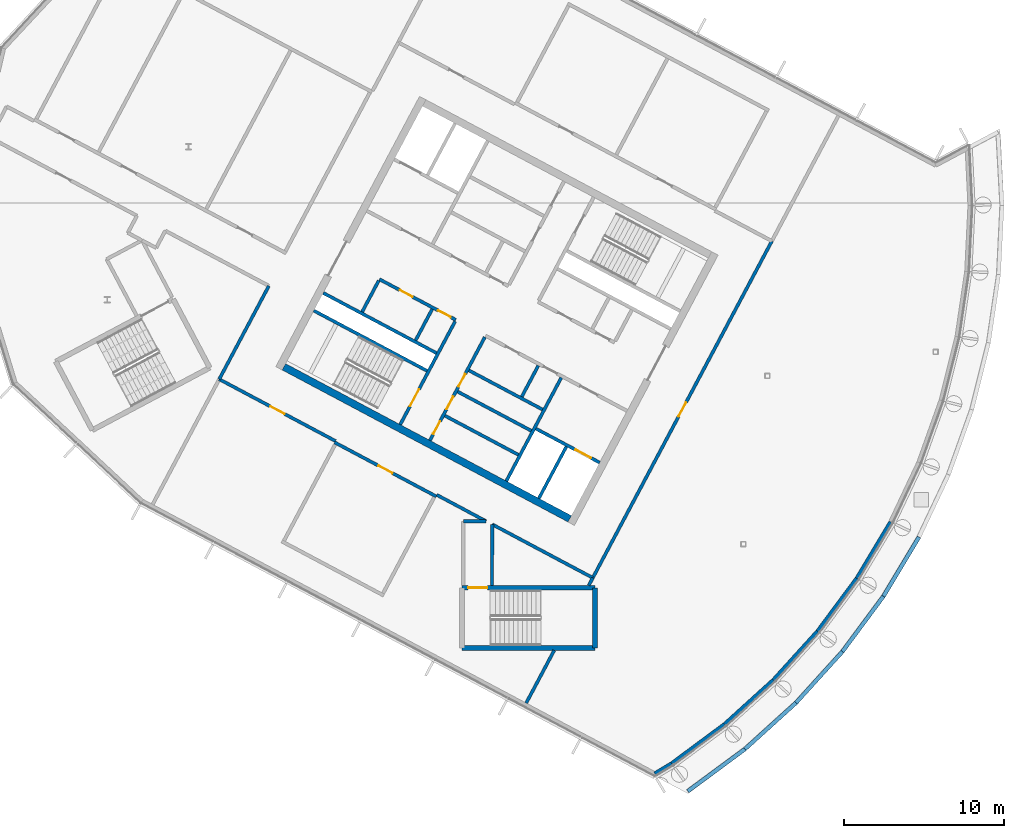
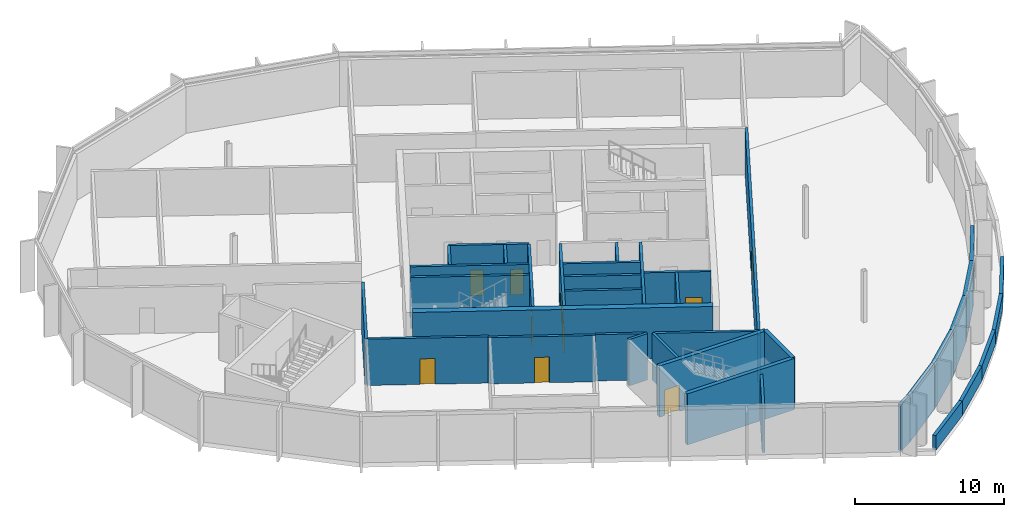
# One storey, part 6 of 15: 39 walls, 11 doors, 11 openings.
"""IFC4 building model written with IfcOpenShell, lengths in metres."""

from ifc_helpers import new_model, si_unit, direction, frame, frame_2d, origin, place, context, subcontext, project, spatial, rectangle, extrude, material, layer, layer_set, type_object, element, fill, save


model = new_model("IFC4")

# Units and contexts
model_context = context("Model", 3, precision=1e-05, world=origin(), true_north=direction((0.0, 1.0)))
body_context = subcontext(model_context, "Body", "Model", "MODEL_VIEW")
ifc_project = project(units=[si_unit("LENGTHUNIT", "METRE"), si_unit("AREAUNIT", "SQUARE_METRE"), si_unit("VOLUMEUNIT", "CUBIC_METRE"), si_unit("PLANEANGLEUNIT", "RADIAN"), si_unit("MASSUNIT", "GRAM", prefix="KILO")], contexts=[model_context])

# Site, building, storey
site_placement = place(None, origin())
site = spatial("IfcSite", under=ifc_project, at=site_placement, CompositionType="ELEMENT")
building_placement = place(site_placement, origin())
building = spatial("IfcBuilding", under=site, at=building_placement, Name="Cormorant Relay Tower", CompositionType="ELEMENT")
storey_placement = place(building_placement, frame((0.0, 0.0, 336.60009765625)))
storey = spatial("IfcBuildingStorey", under=building, at=storey_placement, Name="C3", CompositionType="ELEMENT", Elevation=336.60009765625)

# Walls
ifc_material_1 = material(Name="Concrete 40 MPa", Category="concrete")
ifc_layer_1 = layer(ifc_material_1, 0.199951171875)
ifc_layer_set_1 = layer_set([ifc_layer_1], Name="Core internal wall 200")
wall_type_1 = type_object("IfcWallType", Name="Core internal wall 200", PredefinedType="SOLIDWALL", material=ifc_layer_set_1)
wall_1_placement = place(storey_placement, frame((-24.79052734375, 11.142822265625, 0.0), z_axis=(0.0, 0.0, 1.0), x_axis=(-0.469487830541, -0.882938942948, 0.0)))
element("IfcWall", 1, at=wall_1_placement, inside=storey, type_object=wall_type_1, Name="C3 core A shaft and room wall", PredefinedType="SOLIDWALL", context=body_context, shape_type="SweptSolid", body=[
    extrude(rectangle(XDim=2.2001953125, YDim=0.199951171875, at=frame_2d((1.10009765625, 0.0))), origin(), (0.0, 0.0, 1.0), 4.199951171875),
])
wall_2_placement = place(storey_placement, frame((-31.41259765625, 14.663818359375, 0.0), z_axis=(0.0, 0.0, 1.0), x_axis=(-0.469533832133, -0.882914480843, 0.0)))
element("IfcWall", 2, at=wall_2_placement, inside=storey, type_object=wall_type_1, Name="C3 core A shaft and room wall", PredefinedType="SOLIDWALL", context=body_context, shape_type="SweptSolid", body=[
    extrude(rectangle(XDim=2.199951171875, YDim=0.199951171875, at=frame_2d((1.10009765625, 0.0))), origin(), (0.0, 0.0, 1.0), 4.199951171875),
])
for number, where, z_axis, x_axis, name in (
    (3, (-25.232421875, 7.073974609375, 0.0), (0.0, 0.0, 1.0), (-0.882953967957, 0.469459572775, 0.0), "C3 core A shaft and room wall"),
    (4, (-26.030517578125, 5.572998046875, 0.0), (0.0, 0.0, 1.0), (-0.882953967957, 0.469459572775, 0.0), "C3 core A shaft and room wall"),
):
    element("IfcWall", number, at=place(storey_placement, frame(where, z_axis=z_axis, x_axis=x_axis)), inside=storey, type_object=wall_type_1, Name=name, PredefinedType="SOLIDWALL", context=body_context, shape_type="SweptSolid", body=[
        extrude(rectangle(XDim=5.199951171875, YDim=0.199951171875, at=frame_2d((2.60009765625, 0.0))), origin(), (0.0, 0.0, 1.0), 4.199951171875),
    ])
ifc_material_2 = material(Name="Concrete 50 MPa", Category="concrete")
ifc_layer_2 = layer(ifc_material_2, 0.199951171875)
ifc_layer_set_2 = layer_set([ifc_layer_2], Name="Core shaft wall 200")
wall_type_2 = type_object("IfcWallType", Name="Core shaft wall 200", PredefinedType="SHEAR", material=ifc_layer_set_2)
wall_3_placement = place(storey_placement, frame((-23.04296875, 6.07958984375, 0.0), z_axis=(0.0, 0.0, 1.0), x_axis=(-0.469494272526, -0.882935517501, 0.0)))
element("IfcWall", 5, at=wall_3_placement, inside=storey, type_object=wall_type_2, Name="C3 core A shaft wall", PredefinedType="SHEAR", context=body_context, shape_type="SweptSolid", body=[
    extrude(rectangle(XDim=3.64990234375, YDim=0.199951171875, at=frame_2d((1.824951171875, 0.0))), origin(), (0.0, 0.0, 1.0), 4.199951171875),
])
wall_4_placement = place(storey_placement, frame((-23.360107421875, 10.38232421875, 0.0), z_axis=(0.0, 0.0, 1.0), x_axis=(-0.469480409012, -0.88294288918, 0.0)))
element("IfcWall", 6, at=wall_4_placement, inside=storey, type_object=wall_type_2, Name="C3 core A shaft wall", PredefinedType="SHEAR", context=body_context, shape_type="SweptSolid", body=[
    extrude(rectangle(XDim=7.300048828125, YDim=0.199951171875, at=frame_2d((3.64990234375, 0.0))), origin(), (0.0, 0.0, 1.0), 4.199951171875),
])

# Wall, openings, doors
wall_5_placement = place(storey_placement, frame((-28.128173828125, 12.91748046875, 0.0), z_axis=(0.0, 0.0, 1.0), x_axis=(-0.469454336211, -0.882956752176, 0.0)))
wall_5 = element("IfcWall", 7, at=wall_5_placement, inside=storey, type_object=wall_type_2, Name="C3 core A shaft wall", PredefinedType="SHEAR", context=body_context, shape_type="SweptSolid", body=[
    extrude(rectangle(XDim=7.300048828125, YDim=0.199951171875, at=frame_2d((3.64990234375, 0.0))), origin(), (0.0, 0.0, 1.0), 4.199951171875),
])
opening_1_placement = place(wall_5_placement, frame((2.60009765625, 0.0, 0.0)))
opening_1 = element("IfcOpeningElement", 8, at=opening_1_placement, cuts=wall_5, Name="Opening CDD-377", PredefinedType="OPENING", context=body_context, shape_type="SweptSolid", body=[
    extrude(rectangle(XDim=0.89990234375, YDim=2.10009765625, at=frame_2d((0.449951171875, 1.050048828125))), frame((0.0, 0.10986328125, 0.0), z_axis=(0.0, -1.0, 0.0), x_axis=(1.0, 0.0, 0.0)), (0.0, 0.0, 1.0), 0.219970703125),
])
opening_2_placement = place(wall_5_placement, frame((4.199951171875, 0.0, 0.0)))
opening_2 = element("IfcOpeningElement", 9, at=opening_2_placement, cuts=wall_5, Name="Opening CDD-378", PredefinedType="OPENING", context=body_context, shape_type="SweptSolid", body=[
    extrude(rectangle(XDim=0.89990234375, YDim=2.10009765625, at=frame_2d((0.449951171875, 1.050048828125))), frame((0.0, 0.10986328125, 0.0), z_axis=(0.0, -1.0, 0.0), x_axis=(1.0, 0.0, 0.0)), (0.0, 0.0, 1.0), 0.219970703125),
])
opening_3_placement = place(wall_5_placement, frame((5.949951171875, 0.0, 0.0)))
opening_3 = element("IfcOpeningElement", 10, at=opening_3_placement, cuts=wall_5, Name="Opening CDD-379", PredefinedType="OPENING", context=body_context, shape_type="SweptSolid", body=[
    extrude(rectangle(XDim=0.89990234375, YDim=2.10009765625, at=frame_2d((0.449951171875, 1.050048828125))), frame((0.0, 0.10986328125, 0.0), z_axis=(0.0, -1.0, 0.0), x_axis=(1.0, 0.0, 0.0)), (0.0, 0.0, 1.0), 0.219970703125),
])
ifc_material_3 = material(Name="Steel fire door", Category="steel")
door_type_1 = type_object("IfcDoorType", Name="Core room door 900x2100", OperationType="SINGLE_SWING_LEFT", PredefinedType="DOOR", material=ifc_material_3)
door_1_placement = place(opening_1_placement, origin())
door_1 = element("IfcDoor", 11, at=door_1_placement, inside=storey, type_object=door_type_1, Name="Core room door 900x2100", OperationType="SINGLE_SWING_LEFT", OverallHeight=2.10009765625, OverallWidth=0.89990234375, PredefinedType="DOOR", context=body_context, shape_type="SweptSolid", body=[
    extrude(rectangle(XDim=0.89990234375, YDim=2.10009765625, at=frame_2d((0.449951171875, 1.050048828125))), frame((0.0, 0.02490234375, 0.0), z_axis=(0.0, -1.0, 0.0), x_axis=(1.0, 0.0, 0.0)), (0.0, 0.0, 1.0), 0.050048828125),
])
fill(opening_1, door_1)
door_2_placement = place(opening_2_placement, origin())
door_2 = element("IfcDoor", 12, at=door_2_placement, inside=storey, type_object=door_type_1, Name="Core room door 900x2100", OperationType="SINGLE_SWING_LEFT", OverallHeight=2.10009765625, OverallWidth=0.89990234375, PredefinedType="DOOR", context=body_context, shape_type="SweptSolid", body=[
    extrude(rectangle(XDim=0.89990234375, YDim=2.10009765625, at=frame_2d((0.449951171875, 1.050048828125))), frame((0.0, 0.02490234375, 0.0), z_axis=(0.0, -1.0, 0.0), x_axis=(1.0, 0.0, 0.0)), (0.0, 0.0, 1.0), 0.050048828125),
])
fill(opening_2, door_2)
door_3_placement = place(opening_3_placement, origin())
door_3 = element("IfcDoor", 13, at=door_3_placement, inside=storey, type_object=door_type_1, Name="Core room door 900x2100", OperationType="SINGLE_SWING_LEFT", OverallHeight=2.10009765625, OverallWidth=0.89990234375, PredefinedType="DOOR", context=body_context, shape_type="SweptSolid", body=[
    extrude(rectangle(XDim=0.89990234375, YDim=2.10009765625, at=frame_2d((0.449951171875, 1.050048828125))), frame((0.0, 0.02490234375, 0.0), z_axis=(0.0, -1.0, 0.0), x_axis=(1.0, 0.0, 0.0)), (0.0, 0.0, 1.0), 0.050048828125),
])
fill(opening_3, door_3)

# Wall, opening, door
wall_6_placement = place(storey_placement, frame((-29.982421875, 13.9033203125, 0.0), z_axis=(0.0, 0.0, 1.0), x_axis=(-0.469454336211, -0.882956752176, 0.0)))
wall_6 = element("IfcWall", 14, at=wall_6_placement, inside=storey, type_object=wall_type_2, Name="C3 core A shaft wall", PredefinedType="SHEAR", context=body_context, shape_type="SweptSolid", body=[
    extrude(rectangle(XDim=7.300048828125, YDim=0.199951171875, at=frame_2d((3.64990234375, 0.0))), origin(), (0.0, 0.0, 1.0), 4.199951171875),
])
opening_4_placement = place(wall_6_placement, frame((4.800048828125, 0.0, 0.0)))
opening_4 = element("IfcOpeningElement", 15, at=opening_4_placement, cuts=wall_6, Name="Opening CDB-045", PredefinedType="OPENING", context=body_context, shape_type="SweptSolid", body=[
    extrude(rectangle(XDim=1.199951171875, YDim=2.10009765625, at=frame_2d((0.60009765625, 1.050048828125))), frame((0.0, 0.10986328125, 0.0), z_axis=(0.0, -1.0, 0.0), x_axis=(1.0, 0.0, 0.0)), (0.0, 0.0, 1.0), 0.219970703125),
])
ifc_material_4 = material(Name="Steel fire door", Category="steel")
door_type_2 = type_object("IfcDoorType", Name="Core stair door 1200x2100", OperationType="SINGLE_SWING_LEFT", PredefinedType="DOOR", material=ifc_material_4)
door_4_placement = place(opening_4_placement, frame((1.199951171875, 0.0, 0.0), z_axis=(0.0, 0.0, 1.0), x_axis=(-1.0, 0.0, 0.0)))
door_4 = element("IfcDoor", 16, at=door_4_placement, inside=storey, type_object=door_type_2, Name="Core stair door 1200x2100", OperationType="SINGLE_SWING_RIGHT", OverallHeight=2.10009765625, OverallWidth=1.199951171875, PredefinedType="DOOR", context=body_context, shape_type="SweptSolid", body=[
    extrude(rectangle(XDim=1.199951171875, YDim=2.10009765625, at=frame_2d((0.60009765625, 1.050048828125))), frame((0.0, 0.02490234375, 0.0), z_axis=(0.0, -1.0, 0.0), x_axis=(1.0, 0.0, 0.0)), (0.0, 0.0, 1.0), 0.050048828125),
])
fill(opening_4, door_4)

# Wall
wall_7_placement = place(storey_placement, frame((-34.750244140625, 16.4384765625, 0.0), z_axis=(0.0, 0.0, 1.0), x_axis=(-0.469401318492, -0.882984938828, 0.0)))
element("IfcWall", 17, at=wall_7_placement, inside=storey, type_object=wall_type_2, Name="C3 core A shaft wall", PredefinedType="SHEAR", context=body_context, shape_type="SweptSolid", body=[
    extrude(rectangle(XDim=2.199951171875, YDim=0.199951171875, at=frame_2d((1.10009765625, 0.0))), origin(), (0.0, 0.0, 1.0), 4.199951171875),
])

# Wall, openings, doors
wall_8_placement = place(storey_placement, frame((-29.935302734375, 13.991455078125, 0.0), z_axis=(0.0, 0.0, 1.0), x_axis=(-0.882952937579, 0.469461510692, 0.0)))
wall_8 = element("IfcWall", 18, at=wall_8_placement, inside=storey, type_object=wall_type_2, Name="C3 core A shaft wall", PredefinedType="SHEAR", context=body_context, shape_type="SweptSolid", body=[
    extrude(rectangle(XDim=5.400146484375, YDim=0.199951171875, at=frame_2d((2.7001953125, 0.0))), origin(), (0.0, 0.0, 1.0), 4.199951171875),
])
opening_5_placement = place(wall_8_placement, frame((0.360107421875, 0.0, 0.0)))
opening_5 = element("IfcOpeningElement", 19, at=opening_5_placement, cuts=wall_8, Name="Opening CDD-354", PredefinedType="OPENING", context=body_context, shape_type="SweptSolid", body=[
    extrude(rectangle(XDim=0.89990234375, YDim=2.10009765625, at=frame_2d((0.449951171875, 1.050048828125))), frame((0.0, 0.10986328125, 0.0), z_axis=(0.0, -1.0, 0.0), x_axis=(1.0, 0.0, 0.0)), (0.0, 0.0, 1.0), 0.219970703125),
])
opening_6_placement = place(wall_8_placement, frame((3.06005859375, 0.0, 0.0)))
opening_6 = element("IfcOpeningElement", 20, at=opening_6_placement, cuts=wall_8, Name="Opening CDD-374", PredefinedType="OPENING", context=body_context, shape_type="SweptSolid", body=[
    extrude(rectangle(XDim=0.89990234375, YDim=2.10009765625, at=frame_2d((0.449951171875, 1.050048828125))), frame((0.0, 0.10986328125, 0.0), z_axis=(0.0, -1.0, 0.0), x_axis=(1.0, 0.0, 0.0)), (0.0, 0.0, 1.0), 0.219970703125),
])
door_5_placement = place(opening_5_placement, origin())
door_5 = element("IfcDoor", 21, at=door_5_placement, inside=storey, type_object=door_type_1, Name="Core room door 900x2100", OperationType="SINGLE_SWING_LEFT", OverallHeight=2.10009765625, OverallWidth=0.89990234375, PredefinedType="DOOR", context=body_context, shape_type="SweptSolid", body=[
    extrude(rectangle(XDim=0.89990234375, YDim=2.10009765625, at=frame_2d((0.449951171875, 1.050048828125))), frame((0.0, 0.02490234375, 0.0), z_axis=(0.0, -1.0, 0.0), x_axis=(1.0, 0.0, 0.0)), (0.0, 0.0, 1.0), 0.050048828125),
])
fill(opening_5, door_5)
door_6_placement = place(opening_6_placement, origin())
door_6 = element("IfcDoor", 22, at=door_6_placement, inside=storey, type_object=door_type_1, Name="Core room door 900x2100", OperationType="SINGLE_SWING_LEFT", OverallHeight=2.10009765625, OverallWidth=0.89990234375, PredefinedType="DOOR", context=body_context, shape_type="SweptSolid", body=[
    extrude(rectangle(XDim=0.89990234375, YDim=2.10009765625, at=frame_2d((0.449951171875, 1.050048828125))), frame((0.0, 0.02490234375, 0.0), z_axis=(0.0, -1.0, 0.0), x_axis=(1.0, 0.0, 0.0)), (0.0, 0.0, 1.0), 0.050048828125),
])
fill(opening_6, door_6)

# Walls
wall_9_placement = place(storey_placement, frame((-24.5283203125, 8.3984375, 0.0), z_axis=(0.0, 0.0, 1.0), x_axis=(-0.882953967957, 0.469459572775, 0.0)))
element("IfcWall", 23, at=wall_9_placement, inside=storey, type_object=wall_type_2, Name="C3 core A shaft wall", PredefinedType="SHEAR", context=body_context, shape_type="SweptSolid", body=[
    extrude(rectangle(XDim=5.199951171875, YDim=0.199951171875, at=frame_2d((2.60009765625, 0.0))), origin(), (0.0, 0.0, 1.0), 4.199951171875),
])
wall_10_placement = place(storey_placement, frame((-31.150390625, 11.91943359375, 0.0), z_axis=(0.0, 0.0, 1.0), x_axis=(-0.882940221191, 0.469485426614, 0.0)))
element("IfcWall", 24, at=wall_10_placement, inside=storey, type_object=wall_type_2, Name="C3 core A shaft wall", PredefinedType="SHEAR", context=body_context, shape_type="SweptSolid", body=[
    extrude(rectangle(XDim=8.0, YDim=0.199951171875, at=frame_2d((4.0, 0.0))), origin(), (0.0, 0.0, 1.0), 4.199951171875),
])

# Wall, opening, door
wall_11_placement = place(storey_placement, frame((-20.96533203125, 5.088134765625, 0.0), z_axis=(0.0, 0.0, 1.0), x_axis=(-0.882925986334, 0.469512196493, 0.0)))
wall_11 = element("IfcWall", 25, at=wall_11_placement, inside=storey, type_object=wall_type_2, Name="C3 core A shaft wall", PredefinedType="SHEAR", context=body_context, shape_type="SweptSolid", body=[
    extrude(rectangle(XDim=4.5, YDim=0.199951171875, at=frame_2d((2.25, 0.0))), origin(), (0.0, 0.0, 1.0), 4.199951171875),
])
opening_7_placement = place(wall_11_placement, frame((0.60009765625, 0.0, 0.0)))
opening_7 = element("IfcOpeningElement", 26, at=opening_7_placement, cuts=wall_11, Name="Opening LD1-069", PredefinedType="OPENING", context=body_context, shape_type="SweptSolid", body=[
    extrude(rectangle(XDim=1.10009765625, YDim=2.10009765625, at=frame_2d((0.550048828125, 1.050048828125))), frame((0.0, 0.10986328125, 0.0), z_axis=(0.0, -1.0, 0.0), x_axis=(1.0, 0.0, 0.0)), (0.0, 0.0, 1.0), 0.219970703125),
])
ifc_material_5 = material(Name="Stainless steel 316", Category="steel")
door_type_3 = type_object("IfcDoorType", Name="Lift landing door 1100x2100", OperationType="DOUBLE_DOOR_SLIDING", PredefinedType="DOOR", material=ifc_material_5)
door_7_placement = place(opening_7_placement, origin())
door_7 = element("IfcDoor", 27, at=door_7_placement, inside=storey, type_object=door_type_3, Name="FF1 landing door", OperationType="DOUBLE_DOOR_SLIDING", OverallHeight=2.10009765625, OverallWidth=1.10009765625, PredefinedType="DOOR", context=body_context, shape_type="SweptSolid", body=[
    extrude(rectangle(XDim=1.10009765625, YDim=2.10009765625, at=frame_2d((0.550048828125, 1.050048828125))), frame((0.0, 0.02490234375, 0.0), z_axis=(0.0, -1.0, 0.0), x_axis=(1.0, 0.0, 0.0)), (0.0, 0.0, 1.0), 0.050048828125),
])
fill(opening_7, door_7)

# Walls
wall_12_placement = place(storey_placement, frame((-31.7373046875, 10.815673828125, 0.0), z_axis=(0.0, 0.0, 1.0), x_axis=(-0.882940221191, 0.469485426614, 0.0)))
element("IfcWall", 28, at=wall_12_placement, inside=storey, type_object=wall_type_2, Name="C3 core A shaft wall", PredefinedType="SHEAR", context=body_context, shape_type="SweptSolid", body=[
    extrude(rectangle(XDim=8.0, YDim=0.199951171875, at=frame_2d((4.0, 0.0))), origin(), (0.0, 0.0, 1.0), 4.199951171875),
])
ifc_material_6 = material(Name="Concrete 50 MPa", Category="concrete")
ifc_layer_3 = layer(ifc_material_6, 0.449951171875)
ifc_layer_set_3 = layer_set([ifc_layer_3], Name="Core wall 450")
wall_type_3 = type_object("IfcWallType", Name="Core wall 450", PredefinedType="SHEAR", material=ifc_layer_set_3)
wall_13_placement = place(storey_placement, frame((-22.83154296875, 1.578369140625, 0.0), z_axis=(0.0, 0.0, 1.0), x_axis=(-0.88294509198, 0.469476266226, 0.0)))
element("IfcWall", 29, at=wall_13_placement, inside=storey, type_object=wall_type_3, Name="C3 core A wall", PredefinedType="SHEAR", context=body_context, shape_type="SweptSolid", body=[
    extrude(rectangle(XDim=20.199951171875, YDim=0.449951171875, at=frame_2d((10.10009765625, 0.0))), origin(), (0.0, 0.0, 1.0), 4.199951171875),
])

# Wall, opening, door
ifc_material_7 = material(Name="Concrete 30 MPa block wall", Category="concrete")
ifc_layer_4 = layer(ifc_material_7, 0.199951171875)
ifc_layer_set_4 = layer_set([ifc_layer_4], Name="Crown plant room wall 200")
wall_type_4 = type_object("IfcWallType", Name="Crown plant room wall 200", PredefinedType="PARTITIONING", material=ifc_layer_set_4)
wall_14_placement = place(storey_placement, frame((-31.15087890625, 2.972412109375, 0.0), z_axis=(0.0, 0.0, 1.0), x_axis=(-0.882950149473, 0.469466754463, 0.0)))
wall_14 = element("IfcWall", 30, at=wall_14_placement, inside=storey, type_object=wall_type_4, Name="Plant room wall", PredefinedType="PARTITIONING", context=body_context, shape_type="SweptSolid", body=[
    extrude(rectangle(XDim=7.199951171875, YDim=0.199951171875, at=frame_2d((3.60009765625, 0.0))), origin(), (0.0, 0.0, 1.0), 3.7998046875),
])
opening_8_placement = place(wall_14_placement, frame((3.10009765625, 0.0, 0.0)))
opening_8 = element("IfcOpeningElement", 31, at=opening_8_placement, cuts=wall_14, Name="Opening CRD1-001", PredefinedType="OPENING", context=body_context, shape_type="SweptSolid", body=[
    extrude(rectangle(XDim=1.0, YDim=2.10009765625, at=frame_2d((0.5, 1.050048828125))), frame((0.0, 0.10986328125, 0.0), z_axis=(0.0, -1.0, 0.0), x_axis=(1.0, 0.0, 0.0)), (0.0, 0.0, 1.0), 0.219970703125),
])
ifc_material_8 = material(Name="Galvanised sheet steel ASTM A653 framed door leaf", Category="steel")
door_type_4 = type_object("IfcDoorType", Name="Crown door single 1000", OperationType="SINGLE_SWING_LEFT", PredefinedType="DOOR", material=ifc_material_8)
door_8_placement = place(opening_8_placement, origin())
door_8 = element("IfcDoor", 32, at=door_8_placement, inside=storey, type_object=door_type_4, Name="Air handling plant room door", OperationType="SINGLE_SWING_LEFT", OverallHeight=2.10009765625, OverallWidth=1.0, PredefinedType="DOOR", context=body_context, shape_type="SweptSolid", body=[
    extrude(rectangle(XDim=1.0, YDim=2.10009765625, at=frame_2d((0.5, 1.050048828125))), frame((0.0, 0.02490234375, 0.0), z_axis=(0.0, -1.0, 0.0), x_axis=(1.0, 0.0, 0.0)), (0.0, 0.0, 1.0), 0.050048828125),
])
fill(opening_8, door_8)

# Walls
wall_15_placement = place(storey_placement, frame((-44.701171875, 10.29052734375, 0.0), z_axis=(0.0, 0.0, 1.0), x_axis=(0.469444770229, 0.882961838193, 0.0)))
element("IfcWall", 33, at=wall_15_placement, inside=storey, type_object=wall_type_4, Name="Plant room wall", PredefinedType="PARTITIONING", context=body_context, shape_type="SweptSolid", body=[
    extrude(rectangle(XDim=6.595947265625, YDim=0.199951171875, at=frame_2d((3.2978515625, 0.0))), origin(), (0.0, 0.0, 1.0), 3.7998046875),
])
wall_16_placement = place(storey_placement, frame((-21.391357421875, -2.103515625, 0.0), z_axis=(0.0, 0.0, 1.0), x_axis=(-0.882952949239, 0.469461488761, 0.0)))
element("IfcWall", 34, at=wall_16_placement, inside=storey, type_object=wall_type_4, Name="Plant room wall", PredefinedType="PARTITIONING", context=body_context, shape_type="SweptSolid", body=[
    extrude(rectangle(XDim=7.110107421875, YDim=0.199951171875, at=frame_2d((3.55517578125, 0.0))), origin(), (0.0, 0.0, 1.0), 3.7998046875),
])
wall_17_placement = place(storey_placement, frame((-27.669189453125, 1.234375, 0.0), z_axis=(0.0, 0.0, 1.0), x_axis=(-0.001538163918, -0.999998817025, 0.0)))
element("IfcWall", 35, at=wall_17_placement, inside=storey, type_object=wall_type_4, Name="Plant room wall", PredefinedType="PARTITIONING", context=body_context, shape_type="SweptSolid", body=[
    extrude(rectangle(XDim=3.809326171875, YDim=0.199951171875, at=frame_2d((1.90478515625, 0.0))), origin(), (0.0, 0.0, 1.0), 3.7998046875),
])
wall_18_placement = place(storey_placement, frame((-29.47509765625, 1.4248046875, 0.0), z_axis=(0.0, 0.0, 1.0), x_axis=(0.999999985454, 0.000170561144, 0.0)))
element("IfcWall", 36, at=wall_18_placement, inside=storey, type_object=wall_type_4, Name="Plant room wall", PredefinedType="PARTITIONING", context=body_context, shape_type="SweptSolid", body=[
    extrude(rectangle(XDim=1.431396484375, YDim=0.199951171875, at=frame_2d((0.7158203125, 0.0))), origin(), (0.0, 0.0, 1.0), 3.7998046875),
])
wall_19_placement = place(storey_placement, frame((-28.043701171875, 1.425048828125, 0.0), z_axis=(0.0, 0.0, 1.0), x_axis=(-0.881938187053, 0.471365075305, 0.0)))
element("IfcWall", 37, at=wall_19_placement, inside=storey, type_object=wall_type_4, Name="Plant room wall", PredefinedType="PARTITIONING", context=body_context, shape_type="SweptSolid", body=[
    extrude(rectangle(XDim=3.489990234375, YDim=0.199951171875, at=frame_2d((1.7451171875, 0.0))), origin(), (0.0, 0.0, 1.0), 3.7998046875),
])

# Wall, opening, door
wall_20_placement = place(storey_placement, frame((-37.443603515625, 6.431396484375, 0.0), z_axis=(0.0, 0.0, 1.0), x_axis=(-0.88293683547, 0.469491793934, 0.0)))
wall_20 = element("IfcWall", 38, at=wall_20_placement, inside=storey, type_object=wall_type_4, Name="Plant room wall", PredefinedType="PARTITIONING", context=body_context, shape_type="SweptSolid", body=[
    extrude(rectangle(XDim=8.2197265625, YDim=0.199951171875, at=frame_2d((4.10986328125, 0.0))), origin(), (0.0, 0.0, 1.0), 3.7998046875),
])
opening_9_placement = place(wall_20_placement, frame((3.610107421875, 0.0, 0.0)))
opening_9 = element("IfcOpeningElement", 39, at=opening_9_placement, cuts=wall_20, Name="Opening CRD1-009", PredefinedType="OPENING", context=body_context, shape_type="SweptSolid", body=[
    extrude(rectangle(XDim=1.0, YDim=2.10009765625, at=frame_2d((0.5, 1.050048828125))), frame((0.0, 0.10986328125, 0.0), z_axis=(0.0, -1.0, 0.0), x_axis=(1.0, 0.0, 0.0)), (0.0, 0.0, 1.0), 0.219970703125),
])
door_9_placement = place(opening_9_placement, origin())
door_9 = element("IfcDoor", 40, at=door_9_placement, inside=storey, type_object=door_type_4, Name="Radio frequency room door", OperationType="SINGLE_SWING_LEFT", OverallHeight=2.10009765625, OverallWidth=1.0, PredefinedType="DOOR", context=body_context, shape_type="SweptSolid", body=[
    extrude(rectangle(XDim=1.0, YDim=2.10009765625, at=frame_2d((0.5, 1.050048828125))), frame((0.0, 0.02490234375, 0.0), z_axis=(0.0, -1.0, 0.0), x_axis=(1.0, 0.0, 0.0)), (0.0, 0.0, 1.0), 0.050048828125),
])
fill(opening_9, door_9)

wall_21_placement = place(storey_placement, frame((-10.218017578125, 18.91064453125, 0.0), z_axis=(0.0, 0.0, 1.0), x_axis=(-0.469468702847, -0.882949113509, 0.0)))
wall_21 = element("IfcWall", 41, at=wall_21_placement, inside=storey, type_object=wall_type_4, Name="Plant room wall", PredefinedType="PARTITIONING", context=body_context, shape_type="SweptSolid", body=[
    extrude(rectangle(XDim=23.800048828125, YDim=0.199951171875, at=frame_2d((11.89990234375, 0.0))), origin(), (0.0, 0.0, 1.0), 3.7998046875),
])
opening_10_placement = place(wall_21_placement, frame((11.39990234375, 0.0, 0.0)))
opening_10 = element("IfcOpeningElement", 42, at=opening_10_placement, cuts=wall_21, Name="Opening CRD1-015", PredefinedType="OPENING", context=body_context, shape_type="SweptSolid", body=[
    extrude(rectangle(XDim=1.0, YDim=2.10009765625, at=frame_2d((0.5, 1.050048828125))), frame((0.0, 0.10986328125, 0.0), z_axis=(0.0, -1.0, 0.0), x_axis=(1.0, 0.0, 0.0)), (0.0, 0.0, 1.0), 0.219970703125),
])
door_10_placement = place(opening_10_placement, origin())
door_10 = element("IfcDoor", 43, at=door_10_placement, inside=storey, type_object=door_type_4, Name="Network operations centre door", OperationType="SINGLE_SWING_LEFT", OverallHeight=2.10009765625, OverallWidth=1.0, PredefinedType="DOOR", context=body_context, shape_type="SweptSolid", body=[
    extrude(rectangle(XDim=1.0, YDim=2.10009765625, at=frame_2d((0.5, 1.050048828125))), frame((0.0, 0.02490234375, 0.0), z_axis=(0.0, -1.0, 0.0), x_axis=(1.0, 0.0, 0.0)), (0.0, 0.0, 1.0), 0.050048828125),
])
fill(opening_10, door_10)

# Walls
wall_22_placement = place(storey_placement, frame((-21.392333984375, -2.10302734375, 0.0), z_axis=(0.0, 0.0, 1.0), x_axis=(-0.469544796689, -0.882908649806, 0.0)))
element("IfcWall", 44, at=wall_22_placement, inside=storey, type_object=wall_type_4, Name="Plant room wall", PredefinedType="PARTITIONING", context=body_context, shape_type="SweptSolid", body=[
    extrude(rectangle(XDim=0.534423828125, YDim=0.199951171875, at=frame_2d((0.26708984375, 0.0))), origin(), (0.0, 0.0, 1.0), 3.7998046875),
])
wall_23_placement = place(storey_placement, frame((-23.796630859375, -6.625, 0.0), z_axis=(0.0, 0.0, 1.0), x_axis=(-0.469466372195, -0.882950352726, 0.0)))
element("IfcWall", 45, at=wall_23_placement, inside=storey, type_object=wall_type_4, Name="Plant room wall", PredefinedType="PARTITIONING", context=body_context, shape_type="SweptSolid", body=[
    extrude(rectangle(XDim=3.728759765625, YDim=0.199951171875, at=frame_2d((1.8642578125, 0.0))), origin(), (0.0, 0.0, 1.0), 3.7998046875),
])
ifc_material_9 = material(Name="Bronze cladding on Concrete 30 MPa block wall", Category="concrete")
ifc_layer_5 = layer(ifc_material_9, 0.25)
ifc_layer_set_5 = layer_set([ifc_layer_5], Name="Crown wall 250")
wall_type_5 = type_object("IfcWallType", Name="Crown wall 250", PredefinedType="STANDARD", material=ifc_layer_set_5)
wall_24_placement = place(storey_placement, frame((-2.80224609375, 1.38671875, 0.0), z_axis=(0.0, 0.0, 1.0), x_axis=(-0.514111303159, -0.857723479895, 0.0)))
element("IfcWall", 46, at=wall_24_placement, inside=storey, type_object=wall_type_5, Name="Crown wall C3", PredefinedType="STANDARD", context=body_context, shape_type="SweptSolid", body=[
    extrude(rectangle(XDim=4.109619140625, YDim=0.25, at=frame_2d((2.0546875, 0.0))), origin(), (0.0, 0.0, 1.0), 3.7998046875),
])
wall_25_placement = place(storey_placement, frame((-4.9150390625, -2.13818359375, 0.0), z_axis=(0.0, 0.0, 1.0), x_axis=(-0.5956565524, -0.80323923683, 0.0)))
element("IfcWall", 47, at=wall_25_placement, inside=storey, type_object=wall_type_5, Name="Crown wall C3", PredefinedType="STANDARD", context=body_context, shape_type="SweptSolid", body=[
    extrude(rectangle(XDim=4.109375, YDim=0.25, at=frame_2d((2.0546875, 0.0))), origin(), (0.0, 0.0, 1.0), 3.7998046875),
])
wall_26_placement = place(storey_placement, frame((-7.36279296875, -5.43896484375, 0.0), z_axis=(0.0, 0.0, 1.0), x_axis=(-0.671592811821, -0.740920437774, 0.0)))
element("IfcWall", 48, at=wall_26_placement, inside=storey, type_object=wall_type_5, Name="Crown wall C3", PredefinedType="STANDARD", context=body_context, shape_type="SweptSolid", body=[
    extrude(rectangle(XDim=4.109619140625, YDim=0.25, at=frame_2d((2.0546875, 0.0))), origin(), (0.0, 0.0, 1.0), 3.7998046875),
])
wall_27_placement = place(storey_placement, frame((-10.122802734375, -8.48388671875, 0.0), z_axis=(0.0, 0.0, 1.0), x_axis=(-0.740952767479, -0.671557143037, 0.0)))
element("IfcWall", 49, at=wall_27_placement, inside=storey, type_object=wall_type_5, Name="Crown wall C3", PredefinedType="STANDARD", context=body_context, shape_type="SweptSolid", body=[
    extrude(rectangle(XDim=4.109130859375, YDim=0.25, at=frame_2d((2.0546875, 0.0))), origin(), (0.0, 0.0, 1.0), 3.7998046875),
])
wall_28_placement = place(storey_placement, frame((-13.16748046875, -11.243408203125, 0.0), z_axis=(0.0, 0.0, 1.0), x_axis=(-0.803210811359, -0.595694882063, 0.0)))
element("IfcWall", 50, at=wall_28_placement, inside=storey, type_object=wall_type_5, Name="Crown wall C3", PredefinedType="STANDARD", context=body_context, shape_type="SweptSolid", body=[
    extrude(rectangle(XDim=4.109375, YDim=0.25, at=frame_2d((2.0546875, 0.0))), origin(), (0.0, 0.0, 1.0), 3.7998046875),
])
wall_29_placement = place(storey_placement, frame((-16.46826171875, -13.69140625, 0.0), z_axis=(0.0, 0.0, 1.0), x_axis=(-0.857720270415, -0.514116657695, 0.0)))
element("IfcWall", 51, at=wall_29_placement, inside=storey, type_object=wall_type_5, Name="Crown wall C3", PredefinedType="STANDARD", context=body_context, shape_type="SweptSolid", body=[
    extrude(rectangle(XDim=1.2314453125, YDim=0.25, at=frame_2d((0.61572265625, 0.0))), origin(), (0.0, 0.0, 1.0), 3.7998046875),
])
ifc_material_10 = material(Name="Bronze cladding on Concrete 30 MPa block wall", Category="concrete")
ifc_layer_6 = layer(ifc_material_10, 0.25)
ifc_layer_set_6 = layer_set([ifc_layer_6], Name="Parapet 250")
wall_type_6 = type_object("IfcWallType", Name="Parapet 250", PredefinedType="PARAPET", material=ifc_layer_set_6)
wall_30_placement = place(storey_placement, frame((-1.03857421875, 0.44384765625, 0.0), z_axis=(0.0, 0.0, 1.0), x_axis=(-0.514070418809, -0.857747984262, 0.0)))
element("IfcWall", 52, at=wall_30_placement, inside=storey, type_object=wall_type_6, Name="Terrace parapet C2", PredefinedType="PARAPET", context=body_context, shape_type="SweptSolid", body=[
    extrude(rectangle(XDim=4.3056640625, YDim=0.25, at=frame_2d((2.15283203125, 0.0))), origin(), (0.0, 0.0, 1.0), 1.199951171875),
])
wall_31_placement = place(storey_placement, frame((-3.251953125, -3.249267578125, 0.0), z_axis=(0.0, 0.0, 1.0), x_axis=(-0.595691197008, -0.803213544338, 0.0)))
element("IfcWall", 53, at=wall_31_placement, inside=storey, type_object=wall_type_6, Name="Terrace parapet C2", PredefinedType="PARAPET", context=body_context, shape_type="SweptSolid", body=[
    extrude(rectangle(XDim=4.305908203125, YDim=0.25, at=frame_2d((2.15283203125, 0.0))), origin(), (0.0, 0.0, 1.0), 1.199951171875),
])
for number, where, z_axis, x_axis, name in (
    (54, (-5.81689453125, -6.707763671875, 0.0), (0.0, 0.0, 1.0), (-0.671582661378, -0.740929638317, 0.0), "Terrace parapet C2"),
    (55, (-8.70849609375, -9.89794921875, 0.0), (0.0, 0.0, 1.0), (-0.740929638317, -0.671582661378, 0.0), "Terrace parapet C2"),
):
    element("IfcWall", number, at=place(storey_placement, frame(where, z_axis=z_axis, x_axis=x_axis)), inside=storey, type_object=wall_type_6, Name=name, PredefinedType="PARAPET", context=body_context, shape_type="SweptSolid", body=[
        extrude(rectangle(XDim=4.3056640625, YDim=0.25, at=frame_2d((2.15283203125, 0.0))), origin(), (0.0, 0.0, 1.0), 1.199951171875),
    ])
wall_32_placement = place(storey_placement, frame((-11.898681640625, -12.78955078125, 0.0), z_axis=(0.0, 0.0, 1.0), x_axis=(-0.804885474006, -0.593430175955, 0.0)))
element("IfcWall", 56, at=wall_32_placement, inside=storey, type_object=wall_type_6, Name="Terrace parapet C2", PredefinedType="PARAPET", context=body_context, shape_type="SweptSolid", body=[
    extrude(rectangle(XDim=4.43115234375, YDim=0.25, at=frame_2d((2.215576171875, 0.0))), origin(), (0.0, 0.0, 1.0), 1.199951171875),
])
ifc_material_11 = material(Name="Concrete 50 MPa", Category="concrete")
ifc_layer_7 = layer(ifc_material_11, 0.300048828125)
ifc_layer_set_7 = layer_set([ifc_layer_7], Name="Remote stair wall 300")
wall_type_7 = type_object("IfcWallType", Name="Remote stair wall 300", PredefinedType="SHEAR", material=ifc_layer_set_7)
wall_33_placement = place(storey_placement, frame((-21.25, -2.72509765625, 0.0), z_axis=(0.0, 0.0, 1.0), x_axis=(0.0, -1.0, 0.0)))
element("IfcWall", 57, at=wall_33_placement, inside=storey, type_object=wall_type_7, Name="C3 exit stair RC1 wall", PredefinedType="SHEAR", context=body_context, shape_type="SweptSolid", body=[
    extrude(rectangle(XDim=3.75, YDim=0.300048828125, at=frame_2d((1.875, 0.0))), origin(), (0.0, 0.0, 1.0), 4.199951171875),
])
wall_34_placement = place(storey_placement, frame((-21.25, -6.47509765625, 0.0), z_axis=(0.0, 0.0, 1.0), x_axis=(-1.0, 0.0, 0.0)))
element("IfcWall", 58, at=wall_34_placement, inside=storey, type_object=wall_type_7, Name="C3 exit stair RC1 wall", PredefinedType="SHEAR", context=body_context, shape_type="SweptSolid", body=[
    extrude(rectangle(XDim=8.300048828125, YDim=0.300048828125, at=frame_2d((4.14990234375, 0.0))), origin(), (0.0, 0.0, 1.0), 4.199951171875),
])

# Wall, opening, door
wall_35_placement = place(storey_placement, frame((-29.550048828125, -2.72509765625, 0.0), z_axis=(0.0, 0.0, 1.0), x_axis=(1.0, 0.0, 0.0)))
wall_35 = element("IfcWall", 59, at=wall_35_placement, inside=storey, type_object=wall_type_7, Name="C3 exit stair RC1 wall", PredefinedType="SHEAR", context=body_context, shape_type="SweptSolid", body=[
    extrude(rectangle(XDim=8.300048828125, YDim=0.300048828125, at=frame_2d((4.14990234375, 0.0))), origin(), (0.0, 0.0, 1.0), 4.199951171875),
])
opening_11_placement = place(wall_35_placement, frame((0.375, 0.0, 0.0)))
opening_11 = element("IfcOpeningElement", 60, at=opening_11_placement, cuts=wall_35, Name="Opening CDB-046", PredefinedType="OPENING", context=body_context, shape_type="SweptSolid", body=[
    extrude(rectangle(XDim=1.199951171875, YDim=2.10009765625, at=frame_2d((0.60009765625, 1.050048828125))), frame((0.0, 0.159912109375, 0.0), z_axis=(0.0, -1.0, 0.0), x_axis=(1.0, 0.0, 0.0)), (0.0, 0.0, 1.0), 0.320068359375),
])
door_11_placement = place(opening_11_placement, frame((1.199951171875, 0.0, 0.0), z_axis=(0.0, 0.0, 1.0), x_axis=(-1.0, 0.0, 0.0)))
door_11 = element("IfcDoor", 61, at=door_11_placement, inside=storey, type_object=door_type_2, Name="Exit stair RC1 door", OperationType="SINGLE_SWING_RIGHT", OverallHeight=2.10009765625, OverallWidth=1.199951171875, PredefinedType="DOOR", context=body_context, shape_type="SweptSolid", body=[
    extrude(rectangle(XDim=1.199951171875, YDim=2.10009765625, at=frame_2d((0.60009765625, 1.050048828125))), frame((0.0, 0.02490234375, 0.0), z_axis=(0.0, -1.0, 0.0), x_axis=(1.0, 0.0, 0.0)), (0.0, 0.0, 1.0), 0.050048828125),
])
fill(opening_11, door_11)

save(model, "model.ifc")
